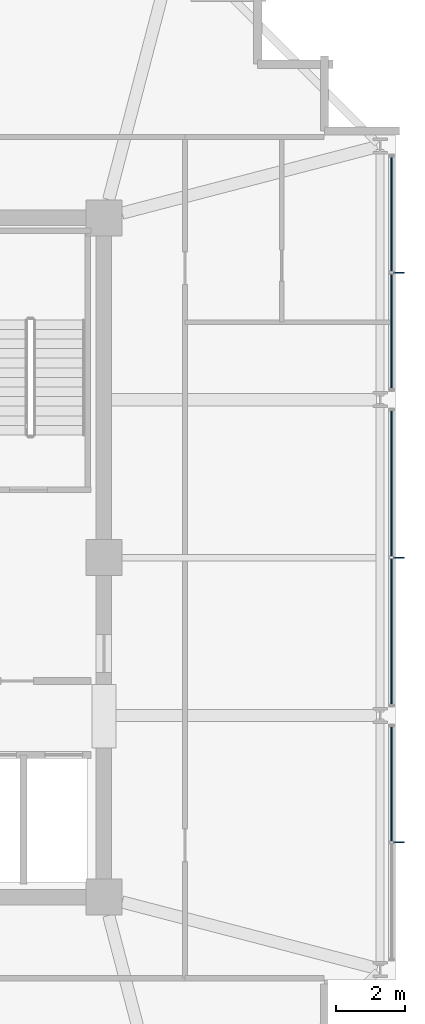
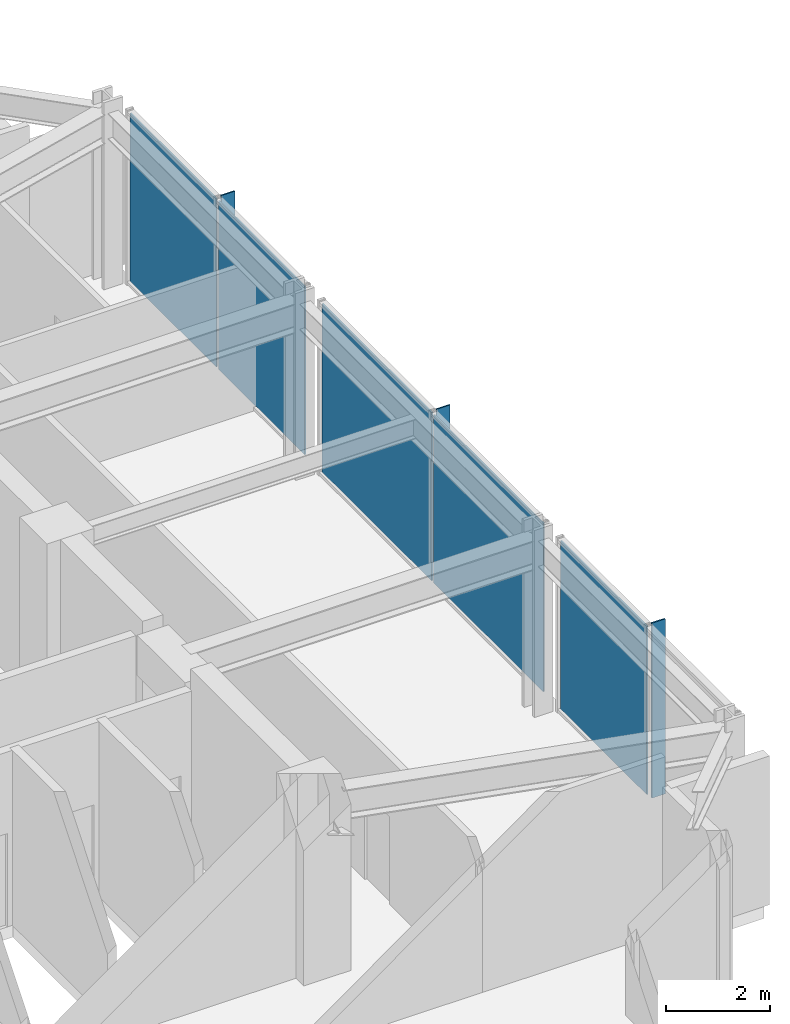
# One storey, part 21 of 26: 8 plates, 3 elements without a shape of their own.
"""IFC4 building model written with IfcOpenShell, lengths in metres."""

from ifc_helpers import new_model, si_unit, direction, frame, origin, origin_2d, place, context, subcontext, project, spatial, rectangle, extrude, material, layer, layer_set, type_object, element, aggregate, save


model = new_model("IFC4")

# Units and contexts
model_context = context("Model", 3, precision=1e-05, world=origin(), true_north=direction((0.0, 1.0)))
body_context = subcontext(model_context, "Body", "Model", "MODEL_VIEW")
ifc_project = project(units=[si_unit("LENGTHUNIT", "METRE"), si_unit("AREAUNIT", "SQUARE_METRE"), si_unit("VOLUMEUNIT", "CUBIC_METRE"), si_unit("PLANEANGLEUNIT", "RADIAN"), si_unit("MASSUNIT", "GRAM", prefix="KILO")], contexts=[model_context])

# Site, building, storey
site_placement = place(None, origin())
site = spatial("IfcSite", under=ifc_project, at=site_placement, CompositionType="ELEMENT")
building_placement = place(site_placement, origin())
building = spatial("IfcBuilding", under=site, at=building_placement, Name="Kolvaren Belvedere", CompositionType="ELEMENT")
storey_placement = place(building_placement, frame((0.0, 0.0, 258.39990234375)))
storey = spatial("IfcBuildingStorey", under=building, at=storey_placement, Name="L75", CompositionType="ELEMENT", Elevation=258.39990234375)

# Curtain wall, plates
ifc_material_1 = material(Name="Anodised pale-metal aluminium AA 6063-T6", Category="aluminium")
curtain_wall_type = type_object("IfcCurtainWallType", Name="CW-CRN-OBS", PredefinedType="NOTDEFINED", material=ifc_material_1)
curtain_wall_1_placement = place(storey_placement, origin())
curtain_wall_1 = element("IfcCurtainWall", 1, at=curtain_wall_1_placement, inside=storey, type_object=curtain_wall_type, Name="L75 Unitised Curtain Wall FCW-L75-E-B1", PredefinedType="NOTDEFINED")
ifc_material_2 = material(Name="Low-iron laminated vision glass", Category="glass")
ifc_layer_1 = layer(ifc_material_2, 0.031982421875)
ifc_layer_set_1 = layer_set([ifc_layer_1], Name="Low-iron laminated vision glass")
plate_type_1 = type_object("IfcPlateType", Name="CW-PNL-VIS32", PredefinedType="CURTAIN_PANEL", material=ifc_layer_set_1)
plate_1_placement = place(storey_placement, frame((18.280029296875, 10.0048828125, 0.080078125), z_axis=(0.0, 0.0, 1.0), x_axis=(0.0, -1.0, 0.0)))
plate_1 = element("IfcPlate", 2, at=plate_1_placement, type_object=plate_type_1, Name="FCW-L75-E-B1 Vision Glazing Panel 1", PredefinedType="CURTAIN_PANEL", context=body_context, shape_type="SweptSolid", body=[
    extrude(rectangle(XDim=3.330078125, YDim=0.031982421875, at=origin_2d()), origin(), (0.0, 0.0, 1.0), 3.9599609375),
])
plate_2_placement = place(storey_placement, frame((18.280029296875, 6.594970703125, 0.080078125), z_axis=(0.0, 0.0, 1.0), x_axis=(0.0, -1.0, 0.0)))
plate_2 = element("IfcPlate", 3, at=plate_2_placement, type_object=plate_type_1, Name="FCW-L75-E-B1 Vision Glazing Panel 2", PredefinedType="CURTAIN_PANEL", context=body_context, shape_type="SweptSolid", body=[
    extrude(rectangle(XDim=3.330078125, YDim=0.031982421875, at=origin_2d()), origin(), (0.0, 0.0, 1.0), 3.9599609375),
])
aggregate(curtain_wall_1, [plate_1, plate_2])

curtain_wall_2_placement = place(storey_placement, origin())
curtain_wall_2 = element("IfcCurtainWall", 4, at=curtain_wall_2_placement, inside=storey, type_object=curtain_wall_type, Name="L75 Unitised Curtain Wall FCW-L75-E-B2", PredefinedType="NOTDEFINED")
plate_3_placement = place(storey_placement, frame((18.280029296875, 2.155029296875, 0.080078125), z_axis=(0.0, 0.0, 1.0), x_axis=(0.0, -1.0, 0.0)))
plate_3 = element("IfcPlate", 5, at=plate_3_placement, type_object=plate_type_1, Name="FCW-L75-E-B2 Vision Glazing Panel 1", PredefinedType="CURTAIN_PANEL", context=body_context, shape_type="SweptSolid", body=[
    extrude(rectangle(XDim=4.22998046875, YDim=0.031982421875, at=origin_2d()), origin(), (0.0, 0.0, 1.0), 3.9599609375),
])
plate_4_placement = place(storey_placement, frame((18.280029296875, -2.155029296875, 0.080078125), z_axis=(0.0, 0.0, 1.0), x_axis=(0.0, -1.0, 0.0)))
plate_4 = element("IfcPlate", 6, at=plate_4_placement, type_object=plate_type_1, Name="FCW-L75-E-B2 Vision Glazing Panel 2", PredefinedType="CURTAIN_PANEL", context=body_context, shape_type="SweptSolid", body=[
    extrude(rectangle(XDim=4.22998046875, YDim=0.031982421875, at=origin_2d()), origin(), (0.0, 0.0, 1.0), 3.9599609375),
])
aggregate(curtain_wall_2, [plate_3, plate_4])

# Curtain wall, plate
curtain_wall_3_placement = place(storey_placement, origin())
curtain_wall_3 = element("IfcCurtainWall", 7, at=curtain_wall_3_placement, inside=storey, type_object=curtain_wall_type, Name="L75 Unitised Curtain Wall FCW-L75-E-B3", PredefinedType="NOTDEFINED")
plate_5_placement = place(storey_placement, frame((18.280029296875, -6.594970703125, 0.080078125), z_axis=(0.0, 0.0, 1.0), x_axis=(0.0, -1.0, 0.0)))
plate_5 = element("IfcPlate", 8, at=plate_5_placement, type_object=plate_type_1, Name="FCW-L75-E-B3 Vision Glazing Panel 1", PredefinedType="CURTAIN_PANEL", context=body_context, shape_type="SweptSolid", body=[
    extrude(rectangle(XDim=3.330078125, YDim=0.031982421875, at=origin_2d()), origin(), (0.0, 0.0, 1.0), 3.9599609375),
])
aggregate(curtain_wall_3, [plate_5])

# Plates
ifc_material_3 = material(Name="Anodised pale-metal aluminium AA 6063-T6", Category="aluminium")
ifc_layer_2 = layer(ifc_material_3, 0.030029296875)
ifc_layer_set_2 = layer_set([ifc_layer_2], Name="Anodised pale-metal aluminium AA 6063-T6")
plate_type_2 = type_object("IfcPlateType", Name="FIN-VERT-300", PredefinedType="USERDEFINED", material=ifc_layer_set_2)
for number, where, z_axis, x_axis, name in (
    (9, (18.4951171875, 8.300048828125, 0.0), (0.0, 0.0, 1.0), (1.0, 0.0, 0.0), "L75 Pale-Metal Vertical Shading Fin FCW-L75-E-B1-1"),
    (10, (18.4951171875, 0.0, 0.0), (0.0, 0.0, 1.0), (1.0, 0.0, 0.0), "L75 Pale-Metal Vertical Shading Fin FCW-L75-E-B2-1"),
    (11, (18.4951171875, -8.300048828125, 0.0), (0.0, 0.0, 1.0), (1.0, 0.0, 0.0), "L75 Pale-Metal Vertical Shading Fin FCW-L75-E-B3-1"),
):
    element("IfcPlate", number, at=place(storey_placement, frame(where, z_axis=z_axis, x_axis=x_axis)), inside=storey, type_object=plate_type_2, Name=name, ObjectType="VERTICAL FIN", PredefinedType="USERDEFINED", context=body_context, shape_type="SweptSolid", body=[
        extrude(rectangle(XDim=0.300048828125, YDim=0.030029296875, at=origin_2d()), origin(), (0.0, 0.0, 1.0), 4.1201171875),
    ])

save(model, "model.ifc")
